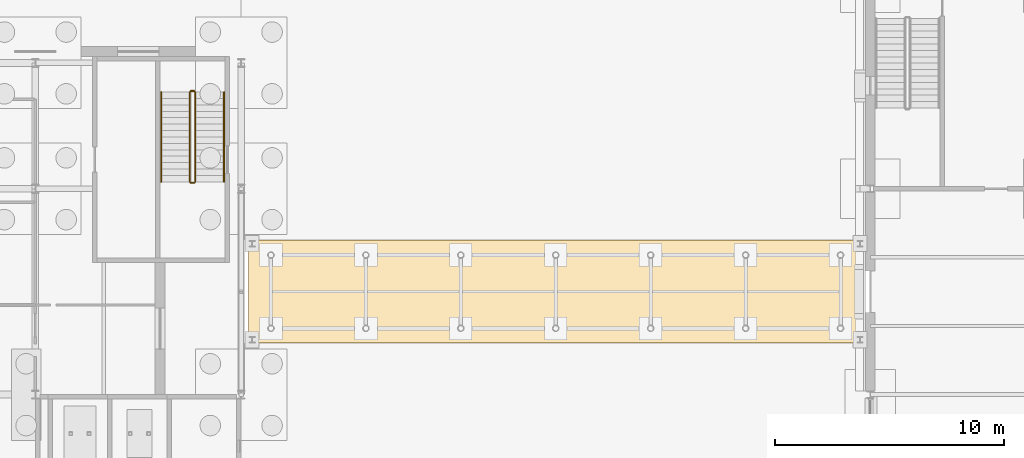
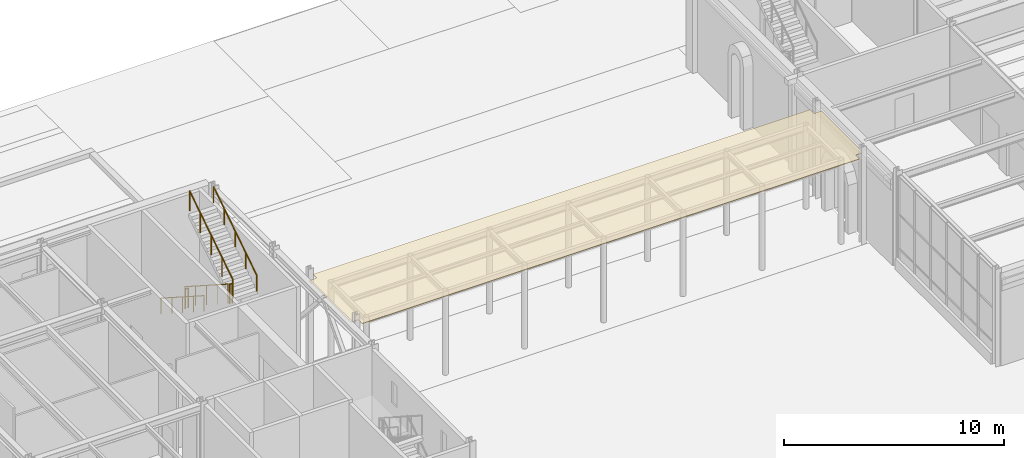
# One storey, part 116 of 126: 6 railings, 1 covering.
"""IFC4 building model written with IfcOpenShell, lengths in metres."""

from ifc_helpers import new_model, si_unit, direction, frame, origin, origin_2d, place, context, subcontext, project, spatial, polyline, circle, outline, extrude, material, layer, layer_set, type_object, element, save


model = new_model("IFC4")

# Units and contexts
model_context = context("Model", 3, precision=1e-05, world=origin(), true_north=direction((0.0, 1.0)))
body_context = subcontext(model_context, "Body", "Model", "MODEL_VIEW")
ifc_project = project(units=[si_unit("LENGTHUNIT", "METRE"), si_unit("AREAUNIT", "SQUARE_METRE"), si_unit("VOLUMEUNIT", "CUBIC_METRE"), si_unit("PLANEANGLEUNIT", "RADIAN"), si_unit("MASSUNIT", "GRAM", prefix="KILO")], contexts=[model_context])

# Site, building, storey
site_placement = place(None, origin())
site = spatial("IfcSite", under=ifc_project, at=site_placement, CompositionType="ELEMENT")
building_placement = place(site_placement, origin())
building = spatial("IfcBuilding", under=site, at=building_placement, Name="Kallimachos Central Library", CompositionType="ELEMENT")
storey_placement = place(building_placement, origin())
storey = spatial("IfcBuildingStorey", under=building, at=storey_placement, Name="L00", CompositionType="ELEMENT", Elevation=0.0)

# Covering
ifc_material_1 = material(Name="Glazed ceramic tile")
ifc_layer = layer(ifc_material_1, 0.030029296875)
ifc_layer_set = layer_set([ifc_layer], Name="Glazed ceramic roof tile")
covering_type = type_object("IfcCoveringType", Name="Glazed ceramic roof tile", PredefinedType="ROOFING", material=ifc_layer_set)
covering_placement = place(storey_placement, frame((0.0, 0.0, 4.800048828125)))
element("IfcCovering", 1, at=covering_placement, inside=storey, type_object=covering_type, Name="Arcade A2 ceramic tile roof covering", PredefinedType="ROOFING", context=body_context, shape_type="SweptSolid", body=[
    extrude(outline(polyline([(110.824951171875, 98.60009765625), (111.22509765625, 98.60009765625), (111.22509765625, 98.25), (137.300048828125, 98.25), (137.300048828125, 98.60009765625), (137.699951171875, 98.60009765625), (137.699951171875, 102.39990234375), (137.300048828125, 102.39990234375), (137.300048828125, 102.75), (111.22509765625, 102.75), (111.22509765625, 102.39990234375), (110.824951171875, 102.39990234375), (110.824951171875, 98.60009765625)])), origin(), (0.0, 0.0, 1.0), 0.030029296875),
])

# Railings
ifc_material_2 = material(Name="Wrought iron")
railing_type_1 = type_object("IfcRailingType", Name="Wrought-iron handrail 900", PredefinedType="HANDRAIL", material=ifc_material_2)
railing_1_placement = place(storey_placement, frame((107.0, 109.22509765625, 0.179931640625)))
element("IfcRailing", 2, at=railing_1_placement, inside=storey, type_object=railing_type_1, Name="L00 ST4 stair handrail 1", PredefinedType="HANDRAIL", context=body_context, shape_type="SweptSolid", body=[
    extrude(circle(Radius=0.02392578125, at=origin_2d()), frame((0.0, 0.0, 0.8759765625), z_axis=(0.0, -0.841186985886, 0.540744352514), x_axis=(1.0, 0.0, 0.0)), (0.0, 0.0, 1.0), 4.660400390625),
    extrude(circle(Radius=0.02099609375, at=origin_2d()), origin(), (0.0, 0.0, 1.0), 0.851806640625),
    extrude(circle(Radius=0.02099609375, at=origin_2d()), frame((0.0, -0.97998046875, 0.6298828125)), (0.0, 0.0, 1.0), 0.851806640625),
    extrude(circle(Radius=0.02099609375, at=origin_2d()), frame((0.0, -1.9599609375, 1.260009765625)), (0.0, 0.0, 1.0), 0.851806640625),
    extrude(circle(Radius=0.02099609375, at=origin_2d()), frame((0.0, -2.940185546875, 1.89013671875)), (0.0, 0.0, 1.0), 0.851806640625),
    extrude(circle(Radius=0.02099609375, at=origin_2d()), frame((0.0, -3.920166015625, 2.52001953125)), (0.0, 0.0, 1.0), 0.851806640625),
])
railing_2_placement = place(storey_placement, frame((109.75, 105.304931640625, 2.8798828125)))
element("IfcRailing", 3, at=railing_2_placement, inside=storey, type_object=railing_type_1, Name="L00 ST4 stair handrail 2", PredefinedType="HANDRAIL", context=body_context, shape_type="SweptSolid", body=[
    extrude(circle(Radius=0.02392578125, at=origin_2d()), frame((0.0, 0.0, 0.8759765625), z_axis=(0.0, 0.841186985886, 0.540744352514), x_axis=(-1.0, 0.0, 0.0)), (0.0, 0.0, 1.0), 4.660400390625),
    extrude(circle(Radius=0.02099609375, at=origin_2d()), origin(), (0.0, 0.0, 1.0), 0.851806640625),
    extrude(circle(Radius=0.02099609375, at=origin_2d()), frame((0.0, 0.97998046875, 0.6298828125)), (0.0, 0.0, 1.0), 0.851806640625),
    extrude(circle(Radius=0.02099609375, at=origin_2d()), frame((0.0, 1.9599609375, 1.260009765625)), (0.0, 0.0, 1.0), 0.851806640625),
    extrude(circle(Radius=0.02099609375, at=origin_2d()), frame((0.0, 2.940185546875, 1.89013671875)), (0.0, 0.0, 1.0), 0.851806640625),
    extrude(circle(Radius=0.02099609375, at=origin_2d()), frame((0.0, 3.920166015625, 2.52001953125)), (0.0, 0.0, 1.0), 0.851806640625),
])
ifc_material_3 = material(Name="Wrought iron")
railing_type_2 = type_object("IfcRailingType", Name="Wrought-iron stair guard 1100", PredefinedType="GUARDRAIL", material=ifc_material_3)
railing_3_placement = place(storey_placement, frame((108.25, 109.22509765625, 0.179931640625)))
element("IfcRailing", 4, at=railing_3_placement, inside=storey, type_object=railing_type_2, Name="L00 ST4 stair guard 1", PredefinedType="GUARDRAIL", context=body_context, shape_type="SweptSolid", body=[
    extrude(circle(Radius=0.02392578125, at=origin_2d()), frame((0.0, 0.0, 1.076171875), z_axis=(0.0, -0.841186985886, 0.540744352514), x_axis=(1.0, 0.0, 0.0)), (0.0, 0.0, 1.0), 4.660400390625),
    extrude(circle(Radius=0.02099609375, at=origin_2d()), origin(), (0.0, 0.0, 1.0), 1.052001953125),
    extrude(circle(Radius=0.02099609375, at=origin_2d()), frame((0.0, -0.97998046875, 0.6298828125)), (0.0, 0.0, 1.0), 1.052001953125),
    extrude(circle(Radius=0.02099609375, at=origin_2d()), frame((0.0, -1.9599609375, 1.260009765625)), (0.0, 0.0, 1.0), 1.052001953125),
    extrude(circle(Radius=0.02099609375, at=origin_2d()), frame((0.0, -2.940185546875, 1.89013671875)), (0.0, 0.0, 1.0), 1.052001953125),
    extrude(circle(Radius=0.02099609375, at=origin_2d()), frame((0.0, -3.920166015625, 2.52001953125)), (0.0, 0.0, 1.0), 1.052001953125),
])
railing_4_placement = place(storey_placement, frame((108.300048828125, 105.2548828125, 2.699951171875)))
element("IfcRailing", 5, at=railing_4_placement, inside=storey, type_object=railing_type_2, Name="L00 ST4 stair guard 2", PredefinedType="GUARDRAIL", context=body_context, shape_type="SweptSolid", body=[
    extrude(circle(Radius=0.02392578125, at=origin_2d()), frame((0.0, 0.0, 1.076171875), z_axis=(1.0, 0.0, 0.0), x_axis=(0.0, 1.0, 0.0)), (0.0, 0.0, 1.0), 0.14990234375),
    extrude(circle(Radius=0.02099609375, at=origin_2d()), origin(), (0.0, 0.0, 1.0), 1.052001953125),
    extrude(circle(Radius=0.02099609375, at=origin_2d()), frame((0.14990234375, 0.0, 0.0)), (0.0, 0.0, 1.0), 1.052001953125),
])
railing_5_placement = place(storey_placement, frame((108.5, 105.304931640625, 2.8798828125)))
element("IfcRailing", 6, at=railing_5_placement, inside=storey, type_object=railing_type_2, Name="L00 ST4 stair guard 3", PredefinedType="GUARDRAIL", context=body_context, shape_type="SweptSolid", body=[
    extrude(circle(Radius=0.02392578125, at=origin_2d()), frame((0.0, 0.0, 1.076171875), z_axis=(0.0, 0.841186985886, 0.540744352514), x_axis=(-1.0, 0.0, 0.0)), (0.0, 0.0, 1.0), 4.660400390625),
    extrude(circle(Radius=0.02099609375, at=origin_2d()), origin(), (0.0, 0.0, 1.0), 1.052001953125),
    extrude(circle(Radius=0.02099609375, at=origin_2d()), frame((0.0, 0.97998046875, 0.6298828125)), (0.0, 0.0, 1.0), 1.052001953125),
    extrude(circle(Radius=0.02099609375, at=origin_2d()), frame((0.0, 1.9599609375, 1.260009765625)), (0.0, 0.0, 1.0), 1.052001953125),
    extrude(circle(Radius=0.02099609375, at=origin_2d()), frame((0.0, 2.940185546875, 1.89013671875)), (0.0, 0.0, 1.0), 1.052001953125),
    extrude(circle(Radius=0.02099609375, at=origin_2d()), frame((0.0, 3.920166015625, 2.52001953125)), (0.0, 0.0, 1.0), 1.052001953125),
])
railing_6_placement = place(storey_placement, frame((108.300048828125, 109.27490234375, 0.0)))
element("IfcRailing", 7, at=railing_6_placement, inside=storey, type_object=railing_type_2, Name="L00 ST4 stair guard 4", PredefinedType="GUARDRAIL", context=body_context, shape_type="SweptSolid", body=[
    extrude(circle(Radius=0.02392578125, at=origin_2d()), frame((0.0, 0.0, 1.076171875), z_axis=(1.0, 0.0, 0.0), x_axis=(0.0, 1.0, 0.0)), (0.0, 0.0, 1.0), 0.14990234375),
    extrude(circle(Radius=0.02099609375, at=origin_2d()), origin(), (0.0, 0.0, 1.0), 1.052001953125),
    extrude(circle(Radius=0.02099609375, at=origin_2d()), frame((0.14990234375, 0.0, 0.0)), (0.0, 0.0, 1.0), 1.052001953125),
])

save(model, "model.ifc")
